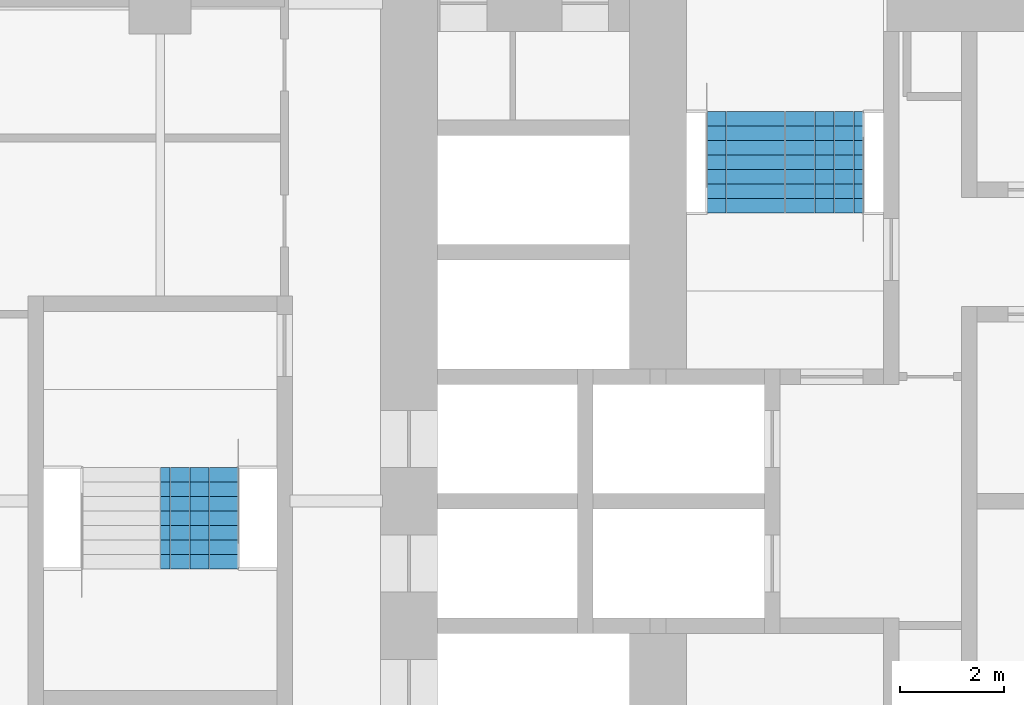
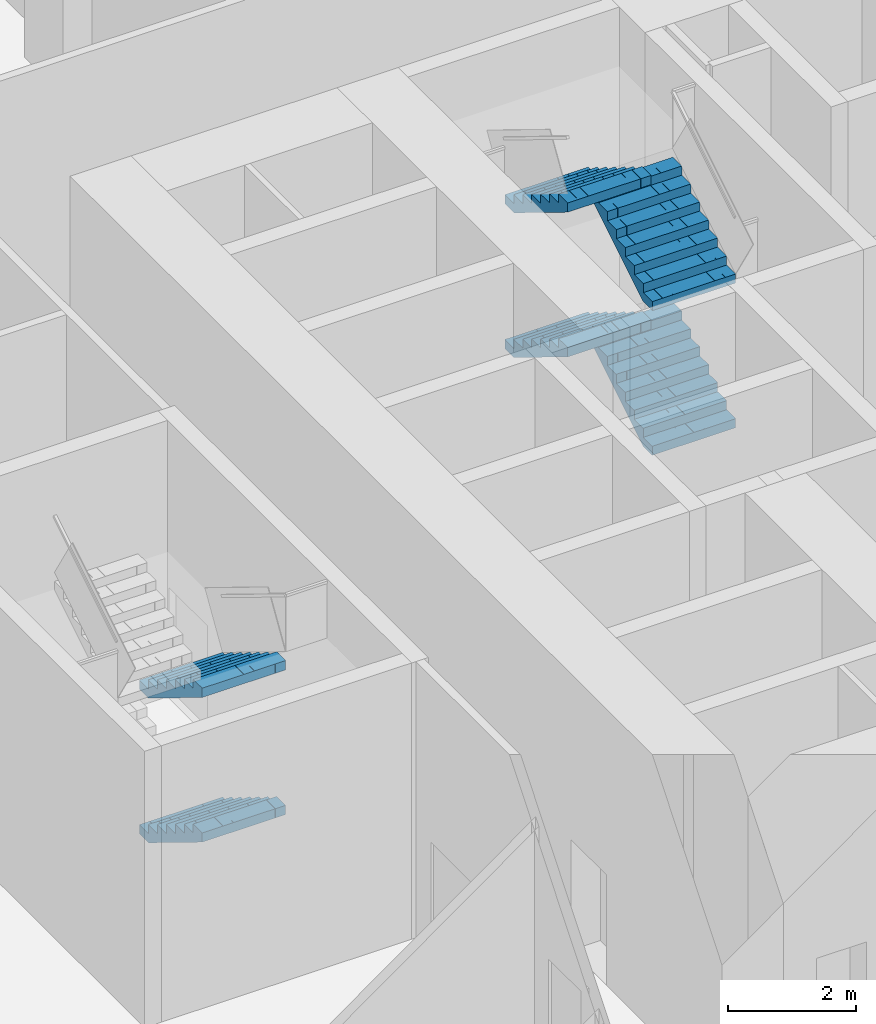
# One storey, part 24 of 27: 6 stair flights, 2 elements without a shape of their own.
"""IFC4 building model written with IfcOpenShell, lengths in metres."""

from ifc_helpers import new_model, si_unit, direction, frame, origin, place, context, subcontext, project, spatial, polyline, outline, extrude, material, type_object, element, aggregate, save


model = new_model("IFC4")

# Units and contexts
model_context = context("Model", 3, precision=1e-05, world=origin(), true_north=direction((0.0, 1.0)))
body_context = subcontext(model_context, "Body", "Model", "MODEL_VIEW")
ifc_project = project(units=[si_unit("LENGTHUNIT", "METRE"), si_unit("AREAUNIT", "SQUARE_METRE"), si_unit("VOLUMEUNIT", "CUBIC_METRE"), si_unit("PLANEANGLEUNIT", "RADIAN"), si_unit("MASSUNIT", "GRAM", prefix="KILO")], contexts=[model_context])

# Site, building, storey
site_placement = place(None, origin())
site = spatial("IfcSite", under=ifc_project, at=site_placement, CompositionType="ELEMENT")
building_placement = place(site_placement, origin())
building = spatial("IfcBuilding", under=site, at=building_placement, Name="Kolab Exchange Tower", CompositionType="ELEMENT")
storey_placement = place(building_placement, frame((0.0, 0.0, 22.39990234375)))
storey = spatial("IfcBuildingStorey", under=building, at=storey_placement, Name="L04", CompositionType="ELEMENT", Elevation=22.39990234375)

# Stair, stair flights
ifc_material = material(Name="Concrete C50/60", Category="concrete")
stair_type_1 = type_object("IfcStairType", Name="STAIR ST1 RISER 171.9", PredefinedType="DOUBLE_RETURN_STAIR", material=ifc_material)
stair_1_placement = place(storey_placement, origin())
stair_1 = element("IfcStair", 1, at=stair_1_placement, inside=storey, type_object=stair_type_1, Name="Stair 1", PredefinedType="DOUBLE_RETURN_STAIR")
stair_flight_type = type_object("IfcStairFlightType", Name="STAIR FLIGHT 1500 RISER 171.9", PredefinedType="STRAIGHT", material=ifc_material)
stair_flight_1_placement = place(storey_placement, frame((-6.389892578125, 5.550048828125, 0.0), z_axis=(0.0, 0.0, 1.0), x_axis=(0.0, 1.0, 0.0)))
stair_flight_1 = element("IfcStairFlight", 2, at=stair_flight_1_placement, type_object=stair_flight_type, Name="ST1 flight 1", NumberOfRisers=8, NumberOfTreads=7, PredefinedType="STRAIGHT", RiserHeight=0.171875, TreadLength=0.28, context=body_context, shape_type="SweptSolid", body=[
    extrude(outline(polyline([(0.0, 0.0), (0.0, 0.171875), (0.280029296875, 0.171875), (0.280029296875, 0.34375), (0.56005859375, 0.34375), (0.56005859375, 0.515625), (0.840087890625, 0.515625), (0.840087890625, 0.6875), (1.1201171875, 0.6875), (1.1201171875, 0.859375), (1.39990234375, 0.859375), (1.39990234375, 1.03125), (1.679931640625, 1.03125), (1.679931640625, 1.203125), (1.9599609375, 1.203125), (1.9599609375, 1.375), (1.9599609375, 1.02734375), (0.28662109375, 0.0), (0.0, 0.0)])), frame((0.0, 0.75, 0.0), z_axis=(0.0, -1.0, 0.0), x_axis=(1.0, 0.0, 0.0)), (0.0, 0.0, 1.0), 0.185791015625),
    extrude(outline(polyline([(0.0, 0.0), (0.0, 0.171875), (0.280029296875, 0.171875), (0.280029296875, 0.34375), (0.56005859375, 0.34375), (0.56005859375, 0.515625), (0.840087890625, 0.515625), (0.840087890625, 0.6875), (1.1201171875, 0.6875), (1.1201171875, 0.859375), (1.39990234375, 0.859375), (1.39990234375, 1.03125), (1.679931640625, 1.03125), (1.679931640625, 1.203125), (1.9599609375, 1.203125), (1.9599609375, 1.375), (1.9599609375, 1.02734375), (0.28662109375, 0.0), (0.0, 0.0)])), frame((0.0, 0.562255859375, 0.0), z_axis=(0.0, -1.0, 0.0), x_axis=(1.0, 0.0, 0.0)), (0.0, 0.0, 1.0), 0.185791015625),
    extrude(outline(polyline([(0.0, 0.0), (0.0, 0.171875), (0.280029296875, 0.171875), (0.280029296875, 0.34375), (0.56005859375, 0.34375), (0.56005859375, 0.515625), (0.840087890625, 0.515625), (0.840087890625, 0.6875), (1.1201171875, 0.6875), (1.1201171875, 0.859375), (1.39990234375, 0.859375), (1.39990234375, 1.03125), (1.679931640625, 1.03125), (1.679931640625, 1.203125), (1.9599609375, 1.203125), (1.9599609375, 1.375), (1.9599609375, 1.02734375), (0.28662109375, 0.0), (0.0, 0.0)])), frame((0.0, 0.37451171875, 0.0), z_axis=(0.0, -1.0, 0.0), x_axis=(1.0, 0.0, 0.0)), (0.0, 0.0, 1.0), 0.185791015625),
    extrude(outline(polyline([(0.0, 0.0), (0.0, 0.171875), (0.280029296875, 0.171875), (0.280029296875, 0.34375), (0.56005859375, 0.34375), (0.56005859375, 0.515625), (0.840087890625, 0.515625), (0.840087890625, 0.6875), (1.1201171875, 0.6875), (1.1201171875, 0.859375), (1.39990234375, 0.859375), (1.39990234375, 1.03125), (1.679931640625, 1.03125), (1.679931640625, 1.203125), (1.9599609375, 1.203125), (1.9599609375, 1.375), (1.9599609375, 1.02734375), (0.28662109375, 0.0), (0.0, 0.0)])), frame((0.0, 0.186767578125, 0.0), z_axis=(0.0, -1.0, 0.0), x_axis=(1.0, 0.0, 0.0)), (0.0, 0.0, 1.0), 0.185791015625),
    extrude(outline(polyline([(0.0, 0.0), (0.0, 0.171875), (0.280029296875, 0.171875), (0.280029296875, 0.34375), (0.56005859375, 0.34375), (0.56005859375, 0.515625), (0.840087890625, 0.515625), (0.840087890625, 0.6875), (1.1201171875, 0.6875), (1.1201171875, 0.859375), (1.39990234375, 0.859375), (1.39990234375, 1.03125), (1.679931640625, 1.03125), (1.679931640625, 1.203125), (1.9599609375, 1.203125), (1.9599609375, 1.375), (1.9599609375, 1.02734375), (0.28662109375, 0.0), (0.0, 0.0)])), frame((0.0, -0.0009765625, 0.0), z_axis=(0.0, -1.0, 0.0), x_axis=(1.0, 0.0, 0.0)), (0.0, 0.0, 1.0), 0.185791015625),
    extrude(outline(polyline([(0.0, 0.0), (0.0, 0.171875), (0.280029296875, 0.171875), (0.280029296875, 0.34375), (0.56005859375, 0.34375), (0.56005859375, 0.515625), (0.840087890625, 0.515625), (0.840087890625, 0.6875), (1.1201171875, 0.6875), (1.1201171875, 0.859375), (1.39990234375, 0.859375), (1.39990234375, 1.03125), (1.679931640625, 1.03125), (1.679931640625, 1.203125), (1.9599609375, 1.203125), (1.9599609375, 1.375), (1.9599609375, 1.02734375), (0.28662109375, 0.0), (0.0, 0.0)])), frame((0.0, -0.188720703125, 0.0), z_axis=(0.0, -1.0, 0.0), x_axis=(1.0, 0.0, 0.0)), (0.0, 0.0, 1.0), 0.185791015625),
    extrude(outline(polyline([(0.0, 0.0), (0.0, 0.171875), (0.280029296875, 0.171875), (0.280029296875, 0.34375), (0.56005859375, 0.34375), (0.56005859375, 0.515625), (0.840087890625, 0.515625), (0.840087890625, 0.6875), (1.1201171875, 0.6875), (1.1201171875, 0.859375), (1.39990234375, 0.859375), (1.39990234375, 1.03125), (1.679931640625, 1.03125), (1.679931640625, 1.203125), (1.9599609375, 1.203125), (1.9599609375, 1.375), (1.9599609375, 1.02734375), (0.28662109375, 0.0), (0.0, 0.0)])), frame((0.0, -0.37646484375, 0.0), z_axis=(0.0, -1.0, 0.0), x_axis=(1.0, 0.0, 0.0)), (0.0, 0.0, 1.0), 0.185791015625),
    extrude(outline(polyline([(0.0, 0.0), (0.0, 0.171875), (0.280029296875, 0.171875), (0.280029296875, 0.34375), (0.56005859375, 0.34375), (0.56005859375, 0.515625), (0.840087890625, 0.515625), (0.840087890625, 0.6875), (1.1201171875, 0.6875), (1.1201171875, 0.859375), (1.39990234375, 0.859375), (1.39990234375, 1.03125), (1.679931640625, 1.03125), (1.679931640625, 1.203125), (1.9599609375, 1.203125), (1.9599609375, 1.375), (1.9599609375, 1.02734375), (0.28662109375, 0.0), (0.0, 0.0)])), frame((0.0, -0.564208984375, 0.0), z_axis=(0.0, -1.0, 0.0), x_axis=(1.0, 0.0, 0.0)), (0.0, 0.0, 1.0), 0.185791015625),
])
stair_flight_2_placement = place(storey_placement, frame((-7.909912109375, 7.510009765625, 1.375), z_axis=(0.0, 0.0, 1.0), x_axis=(0.0, -1.0, 0.0)))
stair_flight_2 = element("IfcStairFlight", 3, at=stair_flight_2_placement, type_object=stair_flight_type, Name="ST1 flight 2", NumberOfRisers=8, NumberOfTreads=7, PredefinedType="STRAIGHT", RiserHeight=0.171875, TreadLength=0.28, context=body_context, shape_type="SweptSolid", body=[
    extrude(outline(polyline([(0.0, 0.0), (0.0, 0.171875), (0.280029296875, 0.171875), (0.280029296875, 0.34375), (0.56005859375, 0.34375), (0.56005859375, 0.515625), (0.840087890625, 0.515625), (0.840087890625, 0.6875), (1.1201171875, 0.6875), (1.1201171875, 0.859375), (1.39990234375, 0.859375), (1.39990234375, 1.03125), (1.679931640625, 1.03125), (1.679931640625, 1.203125), (1.9599609375, 1.203125), (1.9599609375, 1.375), (1.9599609375, 1.02734375), (0.28662109375, 0.0), (0.0, 0.0)])), frame((0.0, 0.75, 0.0), z_axis=(0.0, -1.0, 0.0), x_axis=(1.0, 0.0, 0.0)), (0.0, 0.0, 1.0), 0.185791015625),
    extrude(outline(polyline([(0.0, 0.0), (0.0, 0.171875), (0.280029296875, 0.171875), (0.280029296875, 0.34375), (0.56005859375, 0.34375), (0.56005859375, 0.515625), (0.840087890625, 0.515625), (0.840087890625, 0.6875), (1.1201171875, 0.6875), (1.1201171875, 0.859375), (1.39990234375, 0.859375), (1.39990234375, 1.03125), (1.679931640625, 1.03125), (1.679931640625, 1.203125), (1.9599609375, 1.203125), (1.9599609375, 1.375), (1.9599609375, 1.02734375), (0.28662109375, 0.0), (0.0, 0.0)])), frame((0.0, 0.562255859375, 0.0), z_axis=(0.0, -1.0, 0.0), x_axis=(1.0, 0.0, 0.0)), (0.0, 0.0, 1.0), 0.185791015625),
    extrude(outline(polyline([(0.0, 0.0), (0.0, 0.171875), (0.280029296875, 0.171875), (0.280029296875, 0.34375), (0.56005859375, 0.34375), (0.56005859375, 0.515625), (0.840087890625, 0.515625), (0.840087890625, 0.6875), (1.1201171875, 0.6875), (1.1201171875, 0.859375), (1.39990234375, 0.859375), (1.39990234375, 1.03125), (1.679931640625, 1.03125), (1.679931640625, 1.203125), (1.9599609375, 1.203125), (1.9599609375, 1.375), (1.9599609375, 1.02734375), (0.28662109375, 0.0), (0.0, 0.0)])), frame((0.0, 0.37451171875, 0.0), z_axis=(0.0, -1.0, 0.0), x_axis=(1.0, 0.0, 0.0)), (0.0, 0.0, 1.0), 0.185791015625),
    extrude(outline(polyline([(0.0, 0.0), (0.0, 0.171875), (0.280029296875, 0.171875), (0.280029296875, 0.34375), (0.56005859375, 0.34375), (0.56005859375, 0.515625), (0.840087890625, 0.515625), (0.840087890625, 0.6875), (1.1201171875, 0.6875), (1.1201171875, 0.859375), (1.39990234375, 0.859375), (1.39990234375, 1.03125), (1.679931640625, 1.03125), (1.679931640625, 1.203125), (1.9599609375, 1.203125), (1.9599609375, 1.375), (1.9599609375, 1.02734375), (0.28662109375, 0.0), (0.0, 0.0)])), frame((0.0, 0.186767578125, 0.0), z_axis=(0.0, -1.0, 0.0), x_axis=(1.0, 0.0, 0.0)), (0.0, 0.0, 1.0), 0.185791015625),
    extrude(outline(polyline([(0.0, 0.0), (0.0, 0.171875), (0.280029296875, 0.171875), (0.280029296875, 0.34375), (0.56005859375, 0.34375), (0.56005859375, 0.515625), (0.840087890625, 0.515625), (0.840087890625, 0.6875), (1.1201171875, 0.6875), (1.1201171875, 0.859375), (1.39990234375, 0.859375), (1.39990234375, 1.03125), (1.679931640625, 1.03125), (1.679931640625, 1.203125), (1.9599609375, 1.203125), (1.9599609375, 1.375), (1.9599609375, 1.02734375), (0.28662109375, 0.0), (0.0, 0.0)])), frame((0.0, -0.0009765625, 0.0), z_axis=(0.0, -1.0, 0.0), x_axis=(1.0, 0.0, 0.0)), (0.0, 0.0, 1.0), 0.185791015625),
    extrude(outline(polyline([(0.0, 0.0), (0.0, 0.171875), (0.280029296875, 0.171875), (0.280029296875, 0.34375), (0.56005859375, 0.34375), (0.56005859375, 0.515625), (0.840087890625, 0.515625), (0.840087890625, 0.6875), (1.1201171875, 0.6875), (1.1201171875, 0.859375), (1.39990234375, 0.859375), (1.39990234375, 1.03125), (1.679931640625, 1.03125), (1.679931640625, 1.203125), (1.9599609375, 1.203125), (1.9599609375, 1.375), (1.9599609375, 1.02734375), (0.28662109375, 0.0), (0.0, 0.0)])), frame((0.0, -0.188720703125, 0.0), z_axis=(0.0, -1.0, 0.0), x_axis=(1.0, 0.0, 0.0)), (0.0, 0.0, 1.0), 0.185791015625),
    extrude(outline(polyline([(0.0, 0.0), (0.0, 0.171875), (0.280029296875, 0.171875), (0.280029296875, 0.34375), (0.56005859375, 0.34375), (0.56005859375, 0.515625), (0.840087890625, 0.515625), (0.840087890625, 0.6875), (1.1201171875, 0.6875), (1.1201171875, 0.859375), (1.39990234375, 0.859375), (1.39990234375, 1.03125), (1.679931640625, 1.03125), (1.679931640625, 1.203125), (1.9599609375, 1.203125), (1.9599609375, 1.375), (1.9599609375, 1.02734375), (0.28662109375, 0.0), (0.0, 0.0)])), frame((0.0, -0.37646484375, 0.0), z_axis=(0.0, -1.0, 0.0), x_axis=(1.0, 0.0, 0.0)), (0.0, 0.0, 1.0), 0.185791015625),
    extrude(outline(polyline([(0.0, 0.0), (0.0, 0.171875), (0.280029296875, 0.171875), (0.280029296875, 0.34375), (0.56005859375, 0.34375), (0.56005859375, 0.515625), (0.840087890625, 0.515625), (0.840087890625, 0.6875), (1.1201171875, 0.6875), (1.1201171875, 0.859375), (1.39990234375, 0.859375), (1.39990234375, 1.03125), (1.679931640625, 1.03125), (1.679931640625, 1.203125), (1.9599609375, 1.203125), (1.9599609375, 1.375), (1.9599609375, 1.02734375), (0.28662109375, 0.0), (0.0, 0.0)])), frame((0.0, -0.564208984375, 0.0), z_axis=(0.0, -1.0, 0.0), x_axis=(1.0, 0.0, 0.0)), (0.0, 0.0, 1.0), 0.185791015625),
])
stair_flight_3_placement = place(storey_placement, frame((-6.389892578125, 5.550048828125, 2.75), z_axis=(0.0, 0.0, 1.0), x_axis=(0.0, 1.0, 0.0)))
stair_flight_3 = element("IfcStairFlight", 4, at=stair_flight_3_placement, type_object=stair_flight_type, Name="ST1 flight 3", NumberOfRisers=8, NumberOfTreads=7, PredefinedType="STRAIGHT", RiserHeight=0.171875, TreadLength=0.28, context=body_context, shape_type="SweptSolid", body=[
    extrude(outline(polyline([(0.0, 0.0), (0.0, 0.171875), (0.280029296875, 0.171875), (0.280029296875, 0.34375), (0.56005859375, 0.34375), (0.56005859375, 0.515625), (0.840087890625, 0.515625), (0.840087890625, 0.6875), (1.1201171875, 0.6875), (1.1201171875, 0.859375), (1.39990234375, 0.859375), (1.39990234375, 1.03125), (1.679931640625, 1.03125), (1.679931640625, 1.203125), (1.9599609375, 1.203125), (1.9599609375, 1.375), (1.9599609375, 1.02734375), (0.28662109375, 0.0), (0.0, 0.0)])), frame((0.0, 0.75, 0.0), z_axis=(0.0, -1.0, 0.0), x_axis=(1.0, 0.0, 0.0)), (0.0, 0.0, 1.0), 0.185791015625),
    extrude(outline(polyline([(0.0, 0.0), (0.0, 0.171875), (0.280029296875, 0.171875), (0.280029296875, 0.34375), (0.56005859375, 0.34375), (0.56005859375, 0.515625), (0.840087890625, 0.515625), (0.840087890625, 0.6875), (1.1201171875, 0.6875), (1.1201171875, 0.859375), (1.39990234375, 0.859375), (1.39990234375, 1.03125), (1.679931640625, 1.03125), (1.679931640625, 1.203125), (1.9599609375, 1.203125), (1.9599609375, 1.375), (1.9599609375, 1.02734375), (0.28662109375, 0.0), (0.0, 0.0)])), frame((0.0, 0.562255859375, 0.0), z_axis=(0.0, -1.0, 0.0), x_axis=(1.0, 0.0, 0.0)), (0.0, 0.0, 1.0), 0.185791015625),
    extrude(outline(polyline([(0.0, 0.0), (0.0, 0.171875), (0.280029296875, 0.171875), (0.280029296875, 0.34375), (0.56005859375, 0.34375), (0.56005859375, 0.515625), (0.840087890625, 0.515625), (0.840087890625, 0.6875), (1.1201171875, 0.6875), (1.1201171875, 0.859375), (1.39990234375, 0.859375), (1.39990234375, 1.03125), (1.679931640625, 1.03125), (1.679931640625, 1.203125), (1.9599609375, 1.203125), (1.9599609375, 1.375), (1.9599609375, 1.02734375), (0.28662109375, 0.0), (0.0, 0.0)])), frame((0.0, 0.37451171875, 0.0), z_axis=(0.0, -1.0, 0.0), x_axis=(1.0, 0.0, 0.0)), (0.0, 0.0, 1.0), 0.185791015625),
    extrude(outline(polyline([(0.0, 0.0), (0.0, 0.171875), (0.280029296875, 0.171875), (0.280029296875, 0.34375), (0.56005859375, 0.34375), (0.56005859375, 0.515625), (0.840087890625, 0.515625), (0.840087890625, 0.6875), (1.1201171875, 0.6875), (1.1201171875, 0.859375), (1.39990234375, 0.859375), (1.39990234375, 1.03125), (1.679931640625, 1.03125), (1.679931640625, 1.203125), (1.9599609375, 1.203125), (1.9599609375, 1.375), (1.9599609375, 1.02734375), (0.28662109375, 0.0), (0.0, 0.0)])), frame((0.0, 0.186767578125, 0.0), z_axis=(0.0, -1.0, 0.0), x_axis=(1.0, 0.0, 0.0)), (0.0, 0.0, 1.0), 0.185791015625),
    extrude(outline(polyline([(0.0, 0.0), (0.0, 0.171875), (0.280029296875, 0.171875), (0.280029296875, 0.34375), (0.56005859375, 0.34375), (0.56005859375, 0.515625), (0.840087890625, 0.515625), (0.840087890625, 0.6875), (1.1201171875, 0.6875), (1.1201171875, 0.859375), (1.39990234375, 0.859375), (1.39990234375, 1.03125), (1.679931640625, 1.03125), (1.679931640625, 1.203125), (1.9599609375, 1.203125), (1.9599609375, 1.375), (1.9599609375, 1.02734375), (0.28662109375, 0.0), (0.0, 0.0)])), frame((0.0, -0.0009765625, 0.0), z_axis=(0.0, -1.0, 0.0), x_axis=(1.0, 0.0, 0.0)), (0.0, 0.0, 1.0), 0.185791015625),
    extrude(outline(polyline([(0.0, 0.0), (0.0, 0.171875), (0.280029296875, 0.171875), (0.280029296875, 0.34375), (0.56005859375, 0.34375), (0.56005859375, 0.515625), (0.840087890625, 0.515625), (0.840087890625, 0.6875), (1.1201171875, 0.6875), (1.1201171875, 0.859375), (1.39990234375, 0.859375), (1.39990234375, 1.03125), (1.679931640625, 1.03125), (1.679931640625, 1.203125), (1.9599609375, 1.203125), (1.9599609375, 1.375), (1.9599609375, 1.02734375), (0.28662109375, 0.0), (0.0, 0.0)])), frame((0.0, -0.188720703125, 0.0), z_axis=(0.0, -1.0, 0.0), x_axis=(1.0, 0.0, 0.0)), (0.0, 0.0, 1.0), 0.185791015625),
    extrude(outline(polyline([(0.0, 0.0), (0.0, 0.171875), (0.280029296875, 0.171875), (0.280029296875, 0.34375), (0.56005859375, 0.34375), (0.56005859375, 0.515625), (0.840087890625, 0.515625), (0.840087890625, 0.6875), (1.1201171875, 0.6875), (1.1201171875, 0.859375), (1.39990234375, 0.859375), (1.39990234375, 1.03125), (1.679931640625, 1.03125), (1.679931640625, 1.203125), (1.9599609375, 1.203125), (1.9599609375, 1.375), (1.9599609375, 1.02734375), (0.28662109375, 0.0), (0.0, 0.0)])), frame((0.0, -0.37646484375, 0.0), z_axis=(0.0, -1.0, 0.0), x_axis=(1.0, 0.0, 0.0)), (0.0, 0.0, 1.0), 0.185791015625),
    extrude(outline(polyline([(0.0, 0.0), (0.0, 0.171875), (0.280029296875, 0.171875), (0.280029296875, 0.34375), (0.56005859375, 0.34375), (0.56005859375, 0.515625), (0.840087890625, 0.515625), (0.840087890625, 0.6875), (1.1201171875, 0.6875), (1.1201171875, 0.859375), (1.39990234375, 0.859375), (1.39990234375, 1.03125), (1.679931640625, 1.03125), (1.679931640625, 1.203125), (1.9599609375, 1.203125), (1.9599609375, 1.375), (1.9599609375, 1.02734375), (0.28662109375, 0.0), (0.0, 0.0)])), frame((0.0, -0.564208984375, 0.0), z_axis=(0.0, -1.0, 0.0), x_axis=(1.0, 0.0, 0.0)), (0.0, 0.0, 1.0), 0.185791015625),
])
stair_flight_4_placement = place(storey_placement, frame((-7.909912109375, 7.510009765625, 4.125), z_axis=(0.0, 0.0, 1.0), x_axis=(0.0, -1.0, 0.0)))
stair_flight_4 = element("IfcStairFlight", 5, at=stair_flight_4_placement, type_object=stair_flight_type, Name="ST1 flight 4", NumberOfRisers=8, NumberOfTreads=7, PredefinedType="STRAIGHT", RiserHeight=0.171875, TreadLength=0.28, context=body_context, shape_type="SweptSolid", body=[
    extrude(outline(polyline([(0.0, 0.0), (0.0, 0.171875), (0.280029296875, 0.171875), (0.280029296875, 0.34375), (0.56005859375, 0.34375), (0.56005859375, 0.515625), (0.840087890625, 0.515625), (0.840087890625, 0.6875), (1.1201171875, 0.6875), (1.1201171875, 0.859375), (1.39990234375, 0.859375), (1.39990234375, 1.03125), (1.679931640625, 1.03125), (1.679931640625, 1.203125), (1.9599609375, 1.203125), (1.9599609375, 1.375), (1.9599609375, 1.02734375), (0.28662109375, 0.0), (0.0, 0.0)])), frame((0.0, 0.75, 0.0), z_axis=(0.0, -1.0, 0.0), x_axis=(1.0, 0.0, 0.0)), (0.0, 0.0, 1.0), 0.185791015625),
    extrude(outline(polyline([(0.0, 0.0), (0.0, 0.171875), (0.280029296875, 0.171875), (0.280029296875, 0.34375), (0.56005859375, 0.34375), (0.56005859375, 0.515625), (0.840087890625, 0.515625), (0.840087890625, 0.6875), (1.1201171875, 0.6875), (1.1201171875, 0.859375), (1.39990234375, 0.859375), (1.39990234375, 1.03125), (1.679931640625, 1.03125), (1.679931640625, 1.203125), (1.9599609375, 1.203125), (1.9599609375, 1.375), (1.9599609375, 1.02734375), (0.28662109375, 0.0), (0.0, 0.0)])), frame((0.0, 0.562255859375, 0.0), z_axis=(0.0, -1.0, 0.0), x_axis=(1.0, 0.0, 0.0)), (0.0, 0.0, 1.0), 0.185791015625),
    extrude(outline(polyline([(0.0, 0.0), (0.0, 0.171875), (0.280029296875, 0.171875), (0.280029296875, 0.34375), (0.56005859375, 0.34375), (0.56005859375, 0.515625), (0.840087890625, 0.515625), (0.840087890625, 0.6875), (1.1201171875, 0.6875), (1.1201171875, 0.859375), (1.39990234375, 0.859375), (1.39990234375, 1.03125), (1.679931640625, 1.03125), (1.679931640625, 1.203125), (1.9599609375, 1.203125), (1.9599609375, 1.375), (1.9599609375, 1.02734375), (0.28662109375, 0.0), (0.0, 0.0)])), frame((0.0, 0.37451171875, 0.0), z_axis=(0.0, -1.0, 0.0), x_axis=(1.0, 0.0, 0.0)), (0.0, 0.0, 1.0), 0.185791015625),
    extrude(outline(polyline([(0.0, 0.0), (0.0, 0.171875), (0.280029296875, 0.171875), (0.280029296875, 0.34375), (0.56005859375, 0.34375), (0.56005859375, 0.515625), (0.840087890625, 0.515625), (0.840087890625, 0.6875), (1.1201171875, 0.6875), (1.1201171875, 0.859375), (1.39990234375, 0.859375), (1.39990234375, 1.03125), (1.679931640625, 1.03125), (1.679931640625, 1.203125), (1.9599609375, 1.203125), (1.9599609375, 1.375), (1.9599609375, 1.02734375), (0.28662109375, 0.0), (0.0, 0.0)])), frame((0.0, 0.186767578125, 0.0), z_axis=(0.0, -1.0, 0.0), x_axis=(1.0, 0.0, 0.0)), (0.0, 0.0, 1.0), 0.185791015625),
    extrude(outline(polyline([(0.0, 0.0), (0.0, 0.171875), (0.280029296875, 0.171875), (0.280029296875, 0.34375), (0.56005859375, 0.34375), (0.56005859375, 0.515625), (0.840087890625, 0.515625), (0.840087890625, 0.6875), (1.1201171875, 0.6875), (1.1201171875, 0.859375), (1.39990234375, 0.859375), (1.39990234375, 1.03125), (1.679931640625, 1.03125), (1.679931640625, 1.203125), (1.9599609375, 1.203125), (1.9599609375, 1.375), (1.9599609375, 1.02734375), (0.28662109375, 0.0), (0.0, 0.0)])), frame((0.0, -0.0009765625, 0.0), z_axis=(0.0, -1.0, 0.0), x_axis=(1.0, 0.0, 0.0)), (0.0, 0.0, 1.0), 0.185791015625),
    extrude(outline(polyline([(0.0, 0.0), (0.0, 0.171875), (0.280029296875, 0.171875), (0.280029296875, 0.34375), (0.56005859375, 0.34375), (0.56005859375, 0.515625), (0.840087890625, 0.515625), (0.840087890625, 0.6875), (1.1201171875, 0.6875), (1.1201171875, 0.859375), (1.39990234375, 0.859375), (1.39990234375, 1.03125), (1.679931640625, 1.03125), (1.679931640625, 1.203125), (1.9599609375, 1.203125), (1.9599609375, 1.375), (1.9599609375, 1.02734375), (0.28662109375, 0.0), (0.0, 0.0)])), frame((0.0, -0.188720703125, 0.0), z_axis=(0.0, -1.0, 0.0), x_axis=(1.0, 0.0, 0.0)), (0.0, 0.0, 1.0), 0.185791015625),
    extrude(outline(polyline([(0.0, 0.0), (0.0, 0.171875), (0.280029296875, 0.171875), (0.280029296875, 0.34375), (0.56005859375, 0.34375), (0.56005859375, 0.515625), (0.840087890625, 0.515625), (0.840087890625, 0.6875), (1.1201171875, 0.6875), (1.1201171875, 0.859375), (1.39990234375, 0.859375), (1.39990234375, 1.03125), (1.679931640625, 1.03125), (1.679931640625, 1.203125), (1.9599609375, 1.203125), (1.9599609375, 1.375), (1.9599609375, 1.02734375), (0.28662109375, 0.0), (0.0, 0.0)])), frame((0.0, -0.37646484375, 0.0), z_axis=(0.0, -1.0, 0.0), x_axis=(1.0, 0.0, 0.0)), (0.0, 0.0, 1.0), 0.185791015625),
    extrude(outline(polyline([(0.0, 0.0), (0.0, 0.171875), (0.280029296875, 0.171875), (0.280029296875, 0.34375), (0.56005859375, 0.34375), (0.56005859375, 0.515625), (0.840087890625, 0.515625), (0.840087890625, 0.6875), (1.1201171875, 0.6875), (1.1201171875, 0.859375), (1.39990234375, 0.859375), (1.39990234375, 1.03125), (1.679931640625, 1.03125), (1.679931640625, 1.203125), (1.9599609375, 1.203125), (1.9599609375, 1.375), (1.9599609375, 1.02734375), (0.28662109375, 0.0), (0.0, 0.0)])), frame((0.0, -0.564208984375, 0.0), z_axis=(0.0, -1.0, 0.0), x_axis=(1.0, 0.0, 0.0)), (0.0, 0.0, 1.0), 0.185791015625),
])
aggregate(stair_1, [stair_flight_1, stair_flight_2, stair_flight_3, stair_flight_4])

stair_type_2 = type_object("IfcStairType", Name="STAIR ST5 RISER 171.9", PredefinedType="DOUBLE_RETURN_STAIR", material=ifc_material)
stair_2_placement = place(storey_placement, origin())
stair_2 = element("IfcStair", 6, at=stair_2_placement, inside=storey, type_object=stair_type_2, Name="Stair 5", PredefinedType="DOUBLE_RETURN_STAIR")
stair_flight_5_placement = place(storey_placement, frame((-18.43994140625, 0.64990234375, 0.0), z_axis=(0.0, 0.0, 1.0), x_axis=(0.0, -1.0, 0.0)))
stair_flight_5 = element("IfcStairFlight", 7, at=stair_flight_5_placement, type_object=stair_flight_type, Name="ST5 flight 1", NumberOfRisers=8, NumberOfTreads=7, PredefinedType="STRAIGHT", RiserHeight=0.171875, TreadLength=0.28, context=body_context, shape_type="SweptSolid", body=[
    extrude(outline(polyline([(0.0, 0.0), (0.0, 0.171875), (0.280029296875, 0.171875), (0.280029296875, 0.34375), (0.56005859375, 0.34375), (0.56005859375, 0.515625), (0.840087890625, 0.515625), (0.840087890625, 0.6875), (1.1201171875, 0.6875), (1.1201171875, 0.859375), (1.39990234375, 0.859375), (1.39990234375, 1.03125), (1.679931640625, 1.03125), (1.679931640625, 1.203125), (1.9599609375, 1.203125), (1.9599609375, 1.375), (1.9599609375, 1.02734375), (0.28662109375, 0.0), (0.0, 0.0)])), frame((0.0, 0.75, 0.0), z_axis=(0.0, -1.0, 0.0), x_axis=(1.0, 0.0, 0.0)), (0.0, 0.0, 1.0), 0.185791015625),
    extrude(outline(polyline([(0.0, 0.0), (0.0, 0.171875), (0.280029296875, 0.171875), (0.280029296875, 0.34375), (0.56005859375, 0.34375), (0.56005859375, 0.515625), (0.840087890625, 0.515625), (0.840087890625, 0.6875), (1.1201171875, 0.6875), (1.1201171875, 0.859375), (1.39990234375, 0.859375), (1.39990234375, 1.03125), (1.679931640625, 1.03125), (1.679931640625, 1.203125), (1.9599609375, 1.203125), (1.9599609375, 1.375), (1.9599609375, 1.02734375), (0.28662109375, 0.0), (0.0, 0.0)])), frame((0.0, 0.562255859375, 0.0), z_axis=(0.0, -1.0, 0.0), x_axis=(1.0, 0.0, 0.0)), (0.0, 0.0, 1.0), 0.185791015625),
    extrude(outline(polyline([(0.0, 0.0), (0.0, 0.171875), (0.280029296875, 0.171875), (0.280029296875, 0.34375), (0.56005859375, 0.34375), (0.56005859375, 0.515625), (0.840087890625, 0.515625), (0.840087890625, 0.6875), (1.1201171875, 0.6875), (1.1201171875, 0.859375), (1.39990234375, 0.859375), (1.39990234375, 1.03125), (1.679931640625, 1.03125), (1.679931640625, 1.203125), (1.9599609375, 1.203125), (1.9599609375, 1.375), (1.9599609375, 1.02734375), (0.28662109375, 0.0), (0.0, 0.0)])), frame((0.0, 0.37451171875, 0.0), z_axis=(0.0, -1.0, 0.0), x_axis=(1.0, 0.0, 0.0)), (0.0, 0.0, 1.0), 0.185791015625),
    extrude(outline(polyline([(0.0, 0.0), (0.0, 0.171875), (0.280029296875, 0.171875), (0.280029296875, 0.34375), (0.56005859375, 0.34375), (0.56005859375, 0.515625), (0.840087890625, 0.515625), (0.840087890625, 0.6875), (1.1201171875, 0.6875), (1.1201171875, 0.859375), (1.39990234375, 0.859375), (1.39990234375, 1.03125), (1.679931640625, 1.03125), (1.679931640625, 1.203125), (1.9599609375, 1.203125), (1.9599609375, 1.375), (1.9599609375, 1.02734375), (0.28662109375, 0.0), (0.0, 0.0)])), frame((0.0, 0.186767578125, 0.0), z_axis=(0.0, -1.0, 0.0), x_axis=(1.0, 0.0, 0.0)), (0.0, 0.0, 1.0), 0.185791015625),
    extrude(outline(polyline([(0.0, 0.0), (0.0, 0.171875), (0.280029296875, 0.171875), (0.280029296875, 0.34375), (0.56005859375, 0.34375), (0.56005859375, 0.515625), (0.840087890625, 0.515625), (0.840087890625, 0.6875), (1.1201171875, 0.6875), (1.1201171875, 0.859375), (1.39990234375, 0.859375), (1.39990234375, 1.03125), (1.679931640625, 1.03125), (1.679931640625, 1.203125), (1.9599609375, 1.203125), (1.9599609375, 1.375), (1.9599609375, 1.02734375), (0.28662109375, 0.0), (0.0, 0.0)])), frame((0.0, -0.0009765625, 0.0), z_axis=(0.0, -1.0, 0.0), x_axis=(1.0, 0.0, 0.0)), (0.0, 0.0, 1.0), 0.185791015625),
    extrude(outline(polyline([(0.0, 0.0), (0.0, 0.171875), (0.280029296875, 0.171875), (0.280029296875, 0.34375), (0.56005859375, 0.34375), (0.56005859375, 0.515625), (0.840087890625, 0.515625), (0.840087890625, 0.6875), (1.1201171875, 0.6875), (1.1201171875, 0.859375), (1.39990234375, 0.859375), (1.39990234375, 1.03125), (1.679931640625, 1.03125), (1.679931640625, 1.203125), (1.9599609375, 1.203125), (1.9599609375, 1.375), (1.9599609375, 1.02734375), (0.28662109375, 0.0), (0.0, 0.0)])), frame((0.0, -0.188720703125, 0.0), z_axis=(0.0, -1.0, 0.0), x_axis=(1.0, 0.0, 0.0)), (0.0, 0.0, 1.0), 0.185791015625),
    extrude(outline(polyline([(0.0, 0.0), (0.0, 0.171875), (0.280029296875, 0.171875), (0.280029296875, 0.34375), (0.56005859375, 0.34375), (0.56005859375, 0.515625), (0.840087890625, 0.515625), (0.840087890625, 0.6875), (1.1201171875, 0.6875), (1.1201171875, 0.859375), (1.39990234375, 0.859375), (1.39990234375, 1.03125), (1.679931640625, 1.03125), (1.679931640625, 1.203125), (1.9599609375, 1.203125), (1.9599609375, 1.375), (1.9599609375, 1.02734375), (0.28662109375, 0.0), (0.0, 0.0)])), frame((0.0, -0.37646484375, 0.0), z_axis=(0.0, -1.0, 0.0), x_axis=(1.0, 0.0, 0.0)), (0.0, 0.0, 1.0), 0.185791015625),
    extrude(outline(polyline([(0.0, 0.0), (0.0, 0.171875), (0.280029296875, 0.171875), (0.280029296875, 0.34375), (0.56005859375, 0.34375), (0.56005859375, 0.515625), (0.840087890625, 0.515625), (0.840087890625, 0.6875), (1.1201171875, 0.6875), (1.1201171875, 0.859375), (1.39990234375, 0.859375), (1.39990234375, 1.03125), (1.679931640625, 1.03125), (1.679931640625, 1.203125), (1.9599609375, 1.203125), (1.9599609375, 1.375), (1.9599609375, 1.02734375), (0.28662109375, 0.0), (0.0, 0.0)])), frame((0.0, -0.564208984375, 0.0), z_axis=(0.0, -1.0, 0.0), x_axis=(1.0, 0.0, 0.0)), (0.0, 0.0, 1.0), 0.185791015625),
])
stair_flight_6_placement = place(storey_placement, frame((-18.43994140625, 0.64990234375, 2.75), z_axis=(0.0, 0.0, 1.0), x_axis=(0.0, -1.0, 0.0)))
stair_flight_6 = element("IfcStairFlight", 8, at=stair_flight_6_placement, type_object=stair_flight_type, Name="ST5 flight 3", NumberOfRisers=8, NumberOfTreads=7, PredefinedType="STRAIGHT", RiserHeight=0.171875, TreadLength=0.28, context=body_context, shape_type="SweptSolid", body=[
    extrude(outline(polyline([(0.0, 0.0), (0.0, 0.171875), (0.280029296875, 0.171875), (0.280029296875, 0.34375), (0.56005859375, 0.34375), (0.56005859375, 0.515625), (0.840087890625, 0.515625), (0.840087890625, 0.6875), (1.1201171875, 0.6875), (1.1201171875, 0.859375), (1.39990234375, 0.859375), (1.39990234375, 1.03125), (1.679931640625, 1.03125), (1.679931640625, 1.203125), (1.9599609375, 1.203125), (1.9599609375, 1.375), (1.9599609375, 1.02734375), (0.28662109375, 0.0), (0.0, 0.0)])), frame((0.0, 0.75, 0.0), z_axis=(0.0, -1.0, 0.0), x_axis=(1.0, 0.0, 0.0)), (0.0, 0.0, 1.0), 0.185791015625),
    extrude(outline(polyline([(0.0, 0.0), (0.0, 0.171875), (0.280029296875, 0.171875), (0.280029296875, 0.34375), (0.56005859375, 0.34375), (0.56005859375, 0.515625), (0.840087890625, 0.515625), (0.840087890625, 0.6875), (1.1201171875, 0.6875), (1.1201171875, 0.859375), (1.39990234375, 0.859375), (1.39990234375, 1.03125), (1.679931640625, 1.03125), (1.679931640625, 1.203125), (1.9599609375, 1.203125), (1.9599609375, 1.375), (1.9599609375, 1.02734375), (0.28662109375, 0.0), (0.0, 0.0)])), frame((0.0, 0.562255859375, 0.0), z_axis=(0.0, -1.0, 0.0), x_axis=(1.0, 0.0, 0.0)), (0.0, 0.0, 1.0), 0.185791015625),
    extrude(outline(polyline([(0.0, 0.0), (0.0, 0.171875), (0.280029296875, 0.171875), (0.280029296875, 0.34375), (0.56005859375, 0.34375), (0.56005859375, 0.515625), (0.840087890625, 0.515625), (0.840087890625, 0.6875), (1.1201171875, 0.6875), (1.1201171875, 0.859375), (1.39990234375, 0.859375), (1.39990234375, 1.03125), (1.679931640625, 1.03125), (1.679931640625, 1.203125), (1.9599609375, 1.203125), (1.9599609375, 1.375), (1.9599609375, 1.02734375), (0.28662109375, 0.0), (0.0, 0.0)])), frame((0.0, 0.37451171875, 0.0), z_axis=(0.0, -1.0, 0.0), x_axis=(1.0, 0.0, 0.0)), (0.0, 0.0, 1.0), 0.185791015625),
    extrude(outline(polyline([(0.0, 0.0), (0.0, 0.171875), (0.280029296875, 0.171875), (0.280029296875, 0.34375), (0.56005859375, 0.34375), (0.56005859375, 0.515625), (0.840087890625, 0.515625), (0.840087890625, 0.6875), (1.1201171875, 0.6875), (1.1201171875, 0.859375), (1.39990234375, 0.859375), (1.39990234375, 1.03125), (1.679931640625, 1.03125), (1.679931640625, 1.203125), (1.9599609375, 1.203125), (1.9599609375, 1.375), (1.9599609375, 1.02734375), (0.28662109375, 0.0), (0.0, 0.0)])), frame((0.0, 0.186767578125, 0.0), z_axis=(0.0, -1.0, 0.0), x_axis=(1.0, 0.0, 0.0)), (0.0, 0.0, 1.0), 0.185791015625),
    extrude(outline(polyline([(0.0, 0.0), (0.0, 0.171875), (0.280029296875, 0.171875), (0.280029296875, 0.34375), (0.56005859375, 0.34375), (0.56005859375, 0.515625), (0.840087890625, 0.515625), (0.840087890625, 0.6875), (1.1201171875, 0.6875), (1.1201171875, 0.859375), (1.39990234375, 0.859375), (1.39990234375, 1.03125), (1.679931640625, 1.03125), (1.679931640625, 1.203125), (1.9599609375, 1.203125), (1.9599609375, 1.375), (1.9599609375, 1.02734375), (0.28662109375, 0.0), (0.0, 0.0)])), frame((0.0, -0.0009765625, 0.0), z_axis=(0.0, -1.0, 0.0), x_axis=(1.0, 0.0, 0.0)), (0.0, 0.0, 1.0), 0.185791015625),
    extrude(outline(polyline([(0.0, 0.0), (0.0, 0.171875), (0.280029296875, 0.171875), (0.280029296875, 0.34375), (0.56005859375, 0.34375), (0.56005859375, 0.515625), (0.840087890625, 0.515625), (0.840087890625, 0.6875), (1.1201171875, 0.6875), (1.1201171875, 0.859375), (1.39990234375, 0.859375), (1.39990234375, 1.03125), (1.679931640625, 1.03125), (1.679931640625, 1.203125), (1.9599609375, 1.203125), (1.9599609375, 1.375), (1.9599609375, 1.02734375), (0.28662109375, 0.0), (0.0, 0.0)])), frame((0.0, -0.188720703125, 0.0), z_axis=(0.0, -1.0, 0.0), x_axis=(1.0, 0.0, 0.0)), (0.0, 0.0, 1.0), 0.185791015625),
    extrude(outline(polyline([(0.0, 0.0), (0.0, 0.171875), (0.280029296875, 0.171875), (0.280029296875, 0.34375), (0.56005859375, 0.34375), (0.56005859375, 0.515625), (0.840087890625, 0.515625), (0.840087890625, 0.6875), (1.1201171875, 0.6875), (1.1201171875, 0.859375), (1.39990234375, 0.859375), (1.39990234375, 1.03125), (1.679931640625, 1.03125), (1.679931640625, 1.203125), (1.9599609375, 1.203125), (1.9599609375, 1.375), (1.9599609375, 1.02734375), (0.28662109375, 0.0), (0.0, 0.0)])), frame((0.0, -0.37646484375, 0.0), z_axis=(0.0, -1.0, 0.0), x_axis=(1.0, 0.0, 0.0)), (0.0, 0.0, 1.0), 0.185791015625),
    extrude(outline(polyline([(0.0, 0.0), (0.0, 0.171875), (0.280029296875, 0.171875), (0.280029296875, 0.34375), (0.56005859375, 0.34375), (0.56005859375, 0.515625), (0.840087890625, 0.515625), (0.840087890625, 0.6875), (1.1201171875, 0.6875), (1.1201171875, 0.859375), (1.39990234375, 0.859375), (1.39990234375, 1.03125), (1.679931640625, 1.03125), (1.679931640625, 1.203125), (1.9599609375, 1.203125), (1.9599609375, 1.375), (1.9599609375, 1.02734375), (0.28662109375, 0.0), (0.0, 0.0)])), frame((0.0, -0.564208984375, 0.0), z_axis=(0.0, -1.0, 0.0), x_axis=(1.0, 0.0, 0.0)), (0.0, 0.0, 1.0), 0.185791015625),
])
aggregate(stair_2, [stair_flight_5, stair_flight_6])

save(model, "model.ifc")
